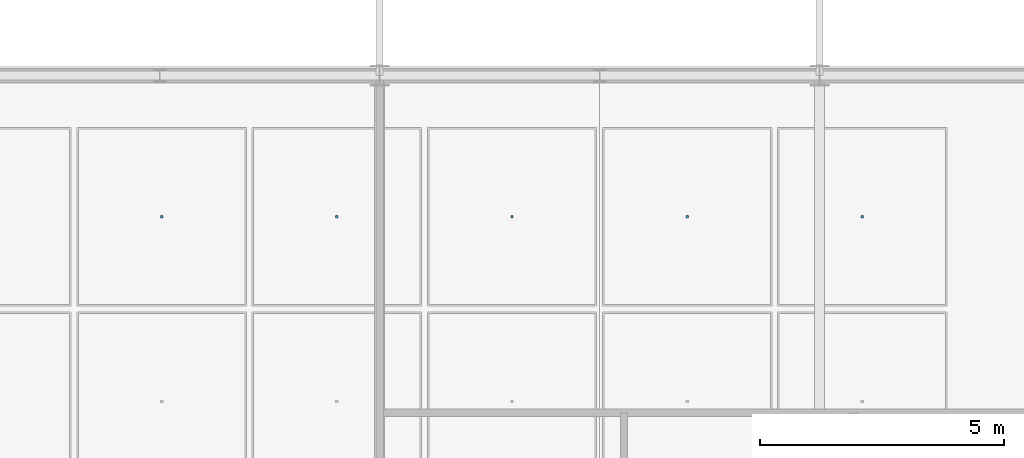
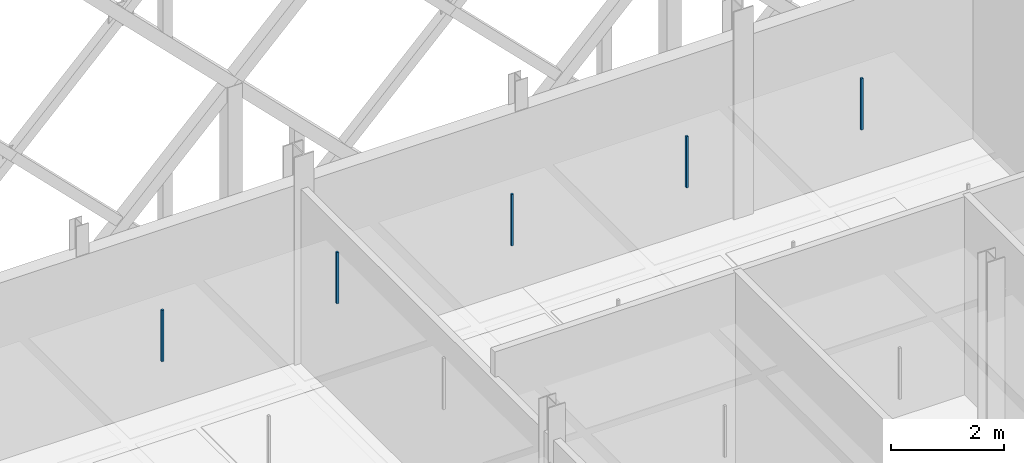
# One storey, part 104 of 140: 5 discrete accessories.
"""IFC4 building model written with IfcOpenShell, lengths in metres."""

from ifc_helpers import new_model, si_unit, direction, frame, origin, origin_2d, place, context, subcontext, project, spatial, rectangle, extrude, material, type_object, element, save


model = new_model("IFC4")

# Units and contexts
model_context = context("Model", 3, precision=1e-05, world=origin(), true_north=direction((0.0, 1.0)))
body_context = subcontext(model_context, "Body", "Model", "MODEL_VIEW")
ifc_project = project(units=[si_unit("LENGTHUNIT", "METRE"), si_unit("AREAUNIT", "SQUARE_METRE"), si_unit("VOLUMEUNIT", "CUBIC_METRE"), si_unit("PLANEANGLEUNIT", "RADIAN"), si_unit("MASSUNIT", "GRAM", prefix="KILO"), si_unit("THERMODYNAMICTEMPERATUREUNIT", "KELVIN"), si_unit("POWERUNIT", "WATT")], contexts=[model_context])

# Site, building, storey
site_placement = place(None, origin())
site = spatial("IfcSite", under=ifc_project, at=site_placement, CompositionType="ELEMENT")
building_placement = place(site_placement, origin())
building = spatial("IfcBuilding", under=site, at=building_placement, Name="Tallowbark Science Centre", CompositionType="ELEMENT")
storey_placement = place(building_placement, frame((0.0, 0.0, 9.89990234375)))
storey = spatial("IfcBuildingStorey", under=building, at=storey_placement, Name="L02", CompositionType="ELEMENT", Elevation=9.89990234375)

# Discrete accessories
ifc_material = material(Name="Galvanised Steel Grade C350L0 (350 MPa)", Category="steel")
discrete_accessory_type = type_object("IfcDiscreteAccessoryType", Name="ACC-CLG-HNG", PredefinedType="BRACKET", material=ifc_material)
for number, where, z_axis, x_axis, name in (
    (1, (72.041748046875, 37.611083984375, 3.20947265625), (0.0, 0.0, 1.0), (1.0, 0.0, 0.0), "Ceiling Hanger Bracket L02-791"),
    (2, (75.625, 37.611083984375, 3.20947265625), (0.0, 0.0, 1.0), (1.0, 0.0, 0.0), "Ceiling Hanger Bracket L02-800"),
    (3, (79.208251953125, 37.611083984375, 3.20947265625), (0.0, 0.0, 1.0), (1.0, 0.0, 0.0), "Ceiling Hanger Bracket L02-809"),
    (4, (82.791748046875, 37.611083984375, 3.20947265625), (0.0, 0.0, 1.0), (1.0, 0.0, 0.0), "Ceiling Hanger Bracket L02-818"),
    (5, (86.375, 37.611083984375, 3.20947265625), (0.0, 0.0, 1.0), (1.0, 0.0, 0.0), "Ceiling Hanger Bracket L02-827"),
):
    element("IfcDiscreteAccessory", number, at=place(storey_placement, frame(where, z_axis=z_axis, x_axis=x_axis)), inside=storey, type_object=discrete_accessory_type, Name=name, PredefinedType="BRACKET", context=body_context, shape_type="SweptSolid", body=[
        extrude(rectangle(XDim=0.044921875, YDim=0.044921875, at=origin_2d()), origin(), (0.0, 0.0, 1.0), 1.113525390625),
    ])

save(model, "model.ifc")
